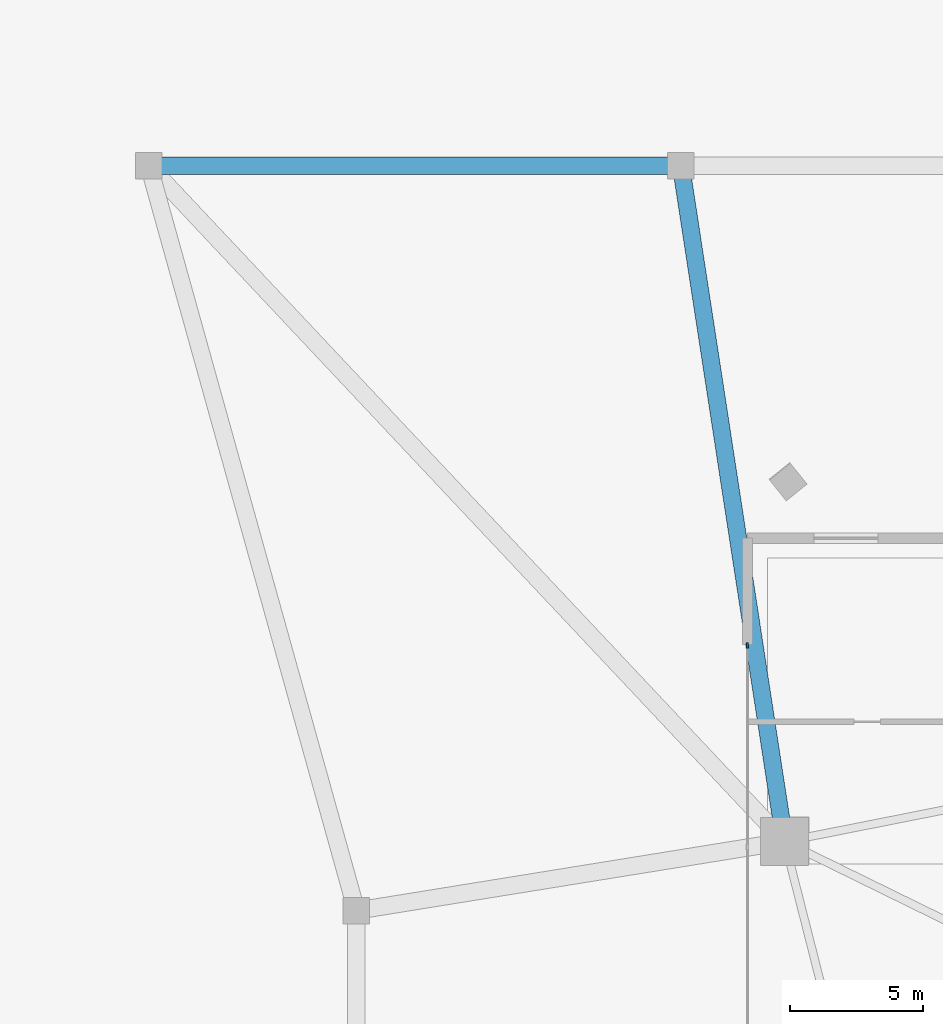
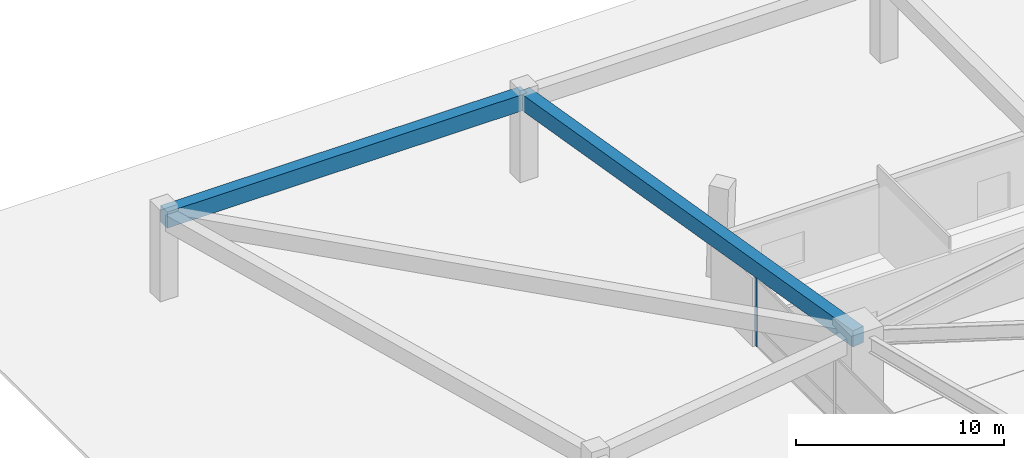
# One storey, part 9 of 19: 2 beams, 1 member, 1 element without a shape of its own.
"""IFC4 building model written with IfcOpenShell, lengths in metres."""

import ifcopenshell
import ifcopenshell.guid

model = None  # the IFC model being written
_history = None  # IfcOwnerHistory: only IFC2X3 demands one
_inside = {}  # id of a spatial element -> (the spatial element, [elements in it])
_under = {}  # id of a project, library or spatial element -> (it, [spatial elements below it])
_declared = {}  # id of a project -> (the project, [libraries it declares])
_typed = {}  # id of a type object -> (the type object, [elements of that type])
_made_of = {}  # id of a material, layer set ... -> (it, [elements and type objects made of it])


def new_model(schema):
    """Start an empty IFC model of exactly this schema.

    Asked for "IFC4X3", IfcOpenShell would pick the latest addendum, in which some entities
    have other attributes; the version numbers below select the first issue.
    IFC2X3 requires an IfcOwnerHistory on every rooted entity: one is made here for all.
    """
    global model, _history
    if schema == "IFC4X3":
        model = ifcopenshell.file(schema_version=(4, 3, 0, 0))
    else:
        model = ifcopenshell.file(schema=schema)
    _inside.clear()
    _under.clear()
    _declared.clear()
    _typed.clear()
    _made_of.clear()
    _history = None
    if model.schema == "IFC2X3":
        org = make("IfcOrganization", Name="unknown")
        user = make(
            "IfcPersonAndOrganization",
            ThePerson=make("IfcPerson", FamilyName="unknown"),
            TheOrganization=org,
        )
        app = make(
            "IfcApplication",
            ApplicationDeveloper=org,
            Version="unknown",
            ApplicationFullName="unknown",
            ApplicationIdentifier="unknown",
        )
        _history = make(
            "IfcOwnerHistory",
            OwningUser=user,
            OwningApplication=app,
            ChangeAction="ADDED",
            CreationDate=0,
        )
    return model


def make(cls, **values):
    """One entity of the class cls with the attributes given. An attribute that is None is left unset."""
    return model.create_entity(
        cls, **{name: value for name, value in values.items() if value is not None}
    )


def rooted(cls, **values):
    """An entity with a GlobalId (a new one), such as an element, a storey or a relation."""
    return make(cls, GlobalId=ifcopenshell.guid.new(), OwnerHistory=_history, **values)


def si_unit(unit_type, name, prefix=None):
    """IfcSIUnit, for example si_unit("LENGTHUNIT", "METRE", prefix="MILLI")."""
    return make("IfcSIUnit", UnitType=unit_type, Prefix=prefix, Name=name)


def assignment(units):
    """IfcUnitAssignment: the units of a project."""
    return None if units is None else make("IfcUnitAssignment", Units=units)


def point(xyz):
    """IfcCartesianPoint."""
    return None if xyz is None else make("IfcCartesianPoint", Coordinates=xyz)


def direction(xyz):
    """IfcDirection."""
    return None if xyz is None else make("IfcDirection", DirectionRatios=xyz)


def frame(location, z_axis=None, x_axis=None):
    """IfcAxis2Placement3D, a coordinate frame: its origin and axes. An axis left out is left unset."""
    return make(
        "IfcAxis2Placement3D",
        Location=point(location),
        Axis=direction(z_axis),
        RefDirection=direction(x_axis),
    )


def frame_2d(location, x_axis=None):
    """IfcAxis2Placement2D, a coordinate frame in the plane: its origin and x axis."""
    return make(
        "IfcAxis2Placement2D", Location=point(location), RefDirection=direction(x_axis)
    )


def origin():
    """The frame at (0, 0, 0) with its axes left unset."""
    return frame((0.0, 0.0, 0.0))


def origin_2d():
    """The frame at (0, 0) in the plane with its x axis left unset."""
    return frame_2d((0.0, 0.0))


def place(relative_to, where):
    """IfcLocalPlacement: puts the frame where relative to a parent placement (None: the world)."""
    return make(
        "IfcLocalPlacement", PlacementRelTo=relative_to, RelativePlacement=where
    )


def context(
    kind, dimensions, precision=None, world=None, true_north=None, identifier=None
):
    """IfcGeometricRepresentationContext, for example the 3D "Model" context."""
    return make(
        "IfcGeometricRepresentationContext",
        ContextIdentifier=identifier,
        ContextType=kind,
        CoordinateSpaceDimension=dimensions,
        Precision=precision,
        WorldCoordinateSystem=world,
        TrueNorth=true_north,
    )


def subcontext(parent, identifier, kind, view, scale=None):
    """IfcGeometricRepresentationSubContext, for example "Body" below "Model"."""
    return make(
        "IfcGeometricRepresentationSubContext",
        ContextIdentifier=identifier,
        ContextType=kind,
        ParentContext=parent,
        TargetScale=scale,
        TargetView=view,
    )


def project(units=None, contexts=None):
    """IfcProject with its units and contexts."""
    return rooted(
        "IfcProject",
        Name="project",
        RepresentationContexts=contexts,
        UnitsInContext=assignment(units),
    )


def spatial(cls, under=None, at=None, **own):
    """A site, building, storey or space (cls), placed at a placement, below another one or the project."""
    s = rooted(cls, ObjectPlacement=at, **own)
    if under is not None:
        _under.setdefault(under.id(), (under, []))[1].append(s)
    return s


def profile(cls, at=None, kind="AREA", **sizes):
    """A parametric profile (cls). Its sizes go by their IFC names, for example OverallWidth=200.0."""
    return make(cls, ProfileType=kind, Position=at, **sizes)


def rectangle(**sizes):
    """IfcRectangleProfileDef."""
    return profile("IfcRectangleProfileDef", **sizes)


def extrude(swept, where, along, depth):
    """IfcExtrudedAreaSolid: the profile swept, set in the frame where, extruded along a direction by depth."""
    return make(
        "IfcExtrudedAreaSolid",
        SweptArea=swept,
        Position=where,
        ExtrudedDirection=direction(along),
        Depth=depth,
    )


def shape(context_of_items, identifier, shape_type, items):
    """IfcShapeRepresentation: the items that make up one representation, for example the "Body"."""
    return make(
        "IfcShapeRepresentation",
        ContextOfItems=context_of_items,
        RepresentationIdentifier=identifier,
        RepresentationType=shape_type,
        Items=items,
    )


def material(Name=None, Category=None):
    """IfcMaterial."""
    return make("IfcMaterial", Name=Name, Category=Category)


def layer(
    of_material, thickness, ventilated=None, Name=None, Category=None, Priority=None
):
    """IfcMaterialLayer: one layer of a wall or slab, of a material (None: an air gap)."""
    return make(
        "IfcMaterialLayer",
        Material=of_material,
        LayerThickness=thickness,
        IsVentilated=ventilated,
        Name=Name,
        Category=Category,
        Priority=Priority,
    )


def layer_set(layers, Name=None):
    """IfcMaterialLayerSet."""
    return make("IfcMaterialLayerSet", MaterialLayers=layers, LayerSetName=Name)


def material_profile(
    of_material, cross_section, Name=None, Category=None, Priority=None
):
    """IfcMaterialProfile: a cross section and its material."""
    return make(
        "IfcMaterialProfile",
        Name=Name,
        Material=of_material,
        Profile=cross_section,
        Priority=Priority,
        Category=Category,
    )


def profile_set(profiles, Name=None, composite=None):
    """IfcMaterialProfileSet."""
    return make(
        "IfcMaterialProfileSet",
        Name=Name,
        MaterialProfiles=profiles,
        CompositeProfile=composite,
    )


def made_of(thing, what):
    """Note that an element or type object is made of a material, layer set ...; save() writes the relation."""
    if what is not None:
        _made_of.setdefault(what.id(), (what, []))[1].append(thing)
    return thing


def type_object(cls, material=None, **own):
    """A type object (cls), such as IfcWallType, which elements share."""
    return made_of(rooted(cls, **own), material)


def element(
    cls,
    number,
    at=None,
    inside=None,
    cuts=None,
    type_object=None,
    material=None,
    context=None,
    identifier="Body",
    shape_type=None,
    held_by="IfcProductDefinitionShape",
    body=None,
    shapes=None,
    **own,
):
    """One element of the class cls, such as IfcWall. Its Tag is "e" and its number.

    at: its placement. inside: the storey or other place that contains it. cuts: it is an
    opening in that element (IfcRelVoidsElement). A single representation is given by context,
    identifier, shape_type and body (its items); several are given by shapes. held_by: the class
    of the entity that holds the representations. save() writes the other relations.
    """
    e = rooted(cls, Tag="e%d" % number, ObjectPlacement=at, **own)
    if body is not None:
        shapes = [shape(context, identifier, shape_type, body)]
    if shapes is not None:
        e.Representation = make(held_by, Representations=shapes)
    if inside is not None:
        _inside.setdefault(inside.id(), (inside, []))[1].append(e)
    if cuts is not None:
        rooted(
            "IfcRelVoidsElement", RelatingBuildingElement=cuts, RelatedOpeningElement=e
        )
    if type_object is not None:
        _typed.setdefault(type_object.id(), (type_object, []))[1].append(e)
    return made_of(e, material)


def aggregate(whole, parts):
    """IfcRelAggregates: a whole, such as a stair, and the parts it consists of."""
    return rooted("IfcRelAggregates", RelatingObject=whole, RelatedObjects=parts)


def save(model, path):
    """Write the relations noted so far, then the file.

    IfcRelAggregates (storeys below a building ...), IfcRelContainedInSpatialStructure (elements
    in a storey), IfcRelDefinesByType, IfcRelAssociatesMaterial and IfcRelDeclares: one each for
    every whole, place, type object, material and project.
    """
    for whole, parts in _under.values():
        aggregate(whole, parts)
    for where, things in _inside.values():
        rooted(
            "IfcRelContainedInSpatialStructure",
            RelatedElements=things,
            RelatingStructure=where,
        )
    for kind, things in _typed.values():
        rooted("IfcRelDefinesByType", RelatedObjects=things, RelatingType=kind)
    for what, things in _made_of.values():
        rooted("IfcRelAssociatesMaterial", RelatedObjects=things, RelatingMaterial=what)
    for by, libraries in _declared.values():
        rooted("IfcRelDeclares", RelatingContext=by, RelatedDefinitions=libraries)
    model.write(path)


model = new_model("IFC4")

# Units and contexts
model_context = context("Model", 3, precision=1e-05, world=origin(), true_north=direction((0.0, 1.0)))
body_context = subcontext(model_context, "Body", "Model", "MODEL_VIEW")
ifc_project = project(units=[si_unit("LENGTHUNIT", "METRE"), si_unit("AREAUNIT", "SQUARE_METRE"), si_unit("VOLUMEUNIT", "CUBIC_METRE"), si_unit("PLANEANGLEUNIT", "RADIAN"), si_unit("MASSUNIT", "GRAM", prefix="KILO")], contexts=[model_context])

# Site, building, storey
site_placement = place(None, origin())
site = spatial("IfcSite", under=ifc_project, at=site_placement, CompositionType="ELEMENT")
building_placement = place(site_placement, origin())
building = spatial("IfcBuilding", under=site, at=building_placement, Name="Talyreon Biosciences Tower", CompositionType="ELEMENT")
storey_placement = place(building_placement, origin())
storey = spatial("IfcBuildingStorey", under=building, at=storey_placement, Name="L00", CompositionType="ELEMENT", Elevation=0.0)

# Curtain wall, member
ifc_material_1 = material(Name="Thermally broken aluminium and low-E glazing", Category="aluminium")
ifc_layer = layer(ifc_material_1, 0.219970703125)
ifc_layer_set = layer_set([ifc_layer], Name="Thermally broken aluminium and low-E glazing")
curtain_wall_type = type_object("IfcCurtainWallType", Name="CurtainWall_PodiumDoubleHeight", PredefinedType="NOTDEFINED", material=ifc_layer_set)
curtain_wall_placement = place(storey_placement, origin())
curtain_wall = element("IfcCurtainWall", 1, at=curtain_wall_placement, inside=storey, type_object=curtain_wall_type, Name="L00 Unitised Curtain Wall FCW-L00-W", PredefinedType="NOTDEFINED")
ifc_material_2 = material(Name="Anodised thermally broken aluminium", Category="aluminium")
ifc_material_profile_1 = material_profile(ifc_material_2, rectangle(XDim=0.074951171875, YDim=0.2099609375, at=origin_2d()), Name="ALUM MULLION 75x210")
ifc_profile_set_1 = profile_set([ifc_material_profile_1], Name="Anodised thermally broken aluminium")
member_type = type_object("IfcMemberType", Name="CWMullion_75x210", PredefinedType="MULLION", material=ifc_profile_set_1)
member_placement = place(storey_placement, frame((48.5, 85.96240234375, 0.0), z_axis=(0.0, 0.0, 1.0), x_axis=(-1.0, 0.0, 0.0)))
member = element("IfcMember", 2, at=member_placement, type_object=member_type, Name="CW1 mullion 6", PredefinedType="MULLION", context=body_context, shape_type="SweptSolid", body=[
    extrude(rectangle(XDim=0.074951171875, YDim=0.2099609375, at=origin_2d()), origin(), (0.0, 0.0, 1.0), 4.030029296875),
])
aggregate(curtain_wall, [member])

# Beams
ifc_material_3 = material(Name="Concrete C50/60", Category="concrete")
ifc_material_profile_2 = material_profile(ifc_material_3, rectangle(XDim=0.64990234375, YDim=0.949951171875, at=origin_2d()), Name="RCB 650x950")
ifc_profile_set_2 = profile_set([ifc_material_profile_2], Name="Concrete C50/60")
beam_type = type_object("IfcBeamType", Name="PodiumGirder_650x950", PredefinedType="T_BEAM", material=ifc_profile_set_2)
beam_1_placement = place(storey_placement, frame((46.0, 104.0, 4.52490234375), z_axis=(-1.0, 0.0, 0.0), x_axis=(0.0, -1.0, 0.0)))
element("IfcBeam", 3, at=beam_1_placement, inside=storey, type_object=beam_type, Name="L00 Podium Perimeter Ring Girder 11", PredefinedType="T_BEAM", context=body_context, shape_type="SweptSolid", body=[
    extrude(rectangle(XDim=0.64990234375, YDim=0.949951171875, at=origin_2d()), origin(), (0.0, 0.0, 1.0), 20.0),
])
beam_2_placement = place(storey_placement, frame((49.897705078125, 78.5986328125, 4.52490234375), z_axis=(-0.151669534412, 0.988431258273, 0.0), x_axis=(-0.988431258273, -0.151669534412, 0.0)))
element("IfcBeam", 4, at=beam_2_placement, inside=storey, type_object=beam_type, Name="L00 Podium Radial Tie Girder PDC11", PredefinedType="T_BEAM", context=body_context, shape_type="SweptSolid", body=[
    extrude(rectangle(XDim=0.64990234375, YDim=0.949951171875, at=origin_2d()), origin(), (0.0, 0.0, 1.0), 25.69873046875),
])

save(model, "model.ifc")
